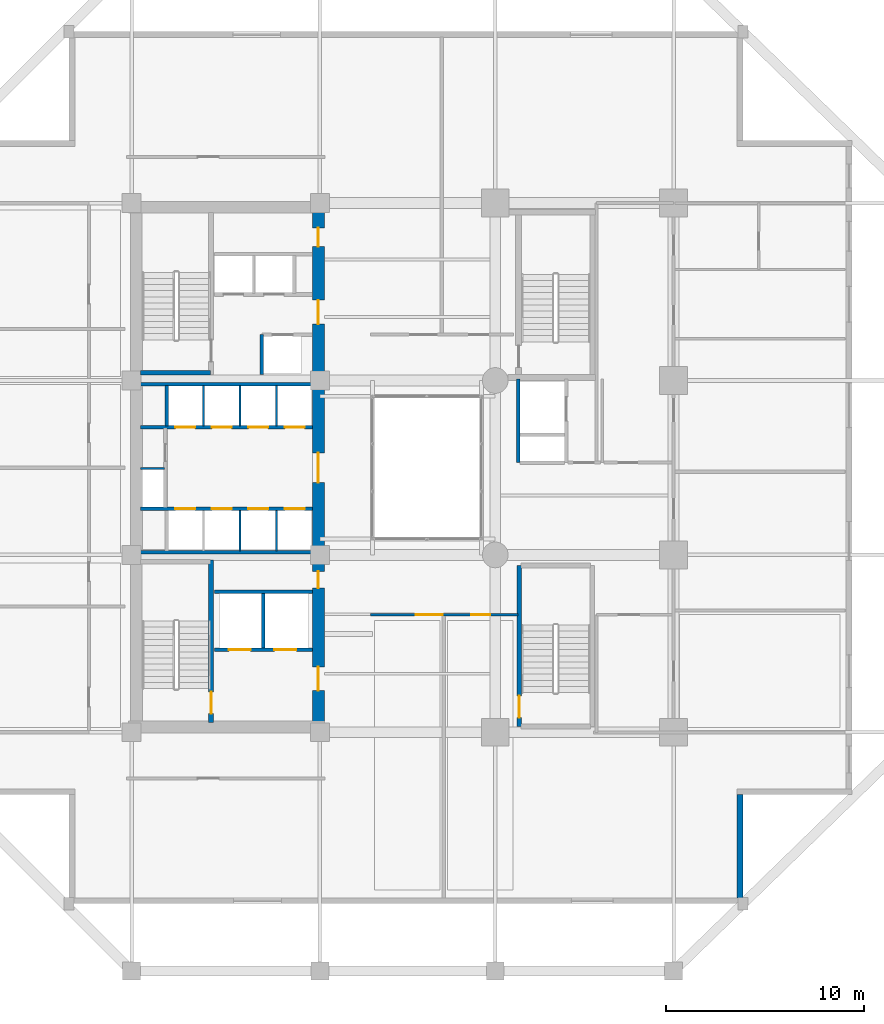
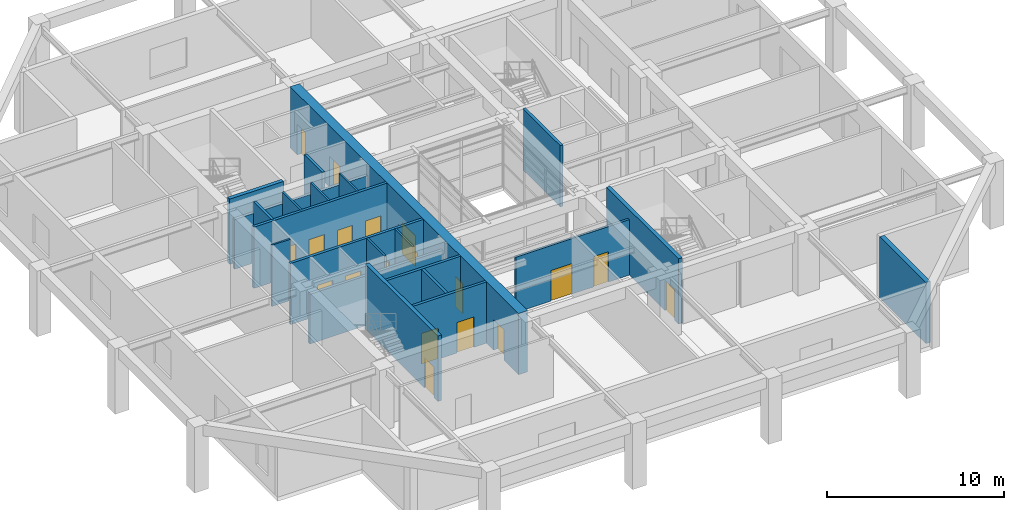
# One storey, part 7 of 13: 22 walls, 19 doors, 19 openings.
"""IFC4 building model written with IfcOpenShell, lengths in metres."""

from ifc_helpers import new_model, si_unit, direction, frame, frame_2d, origin, place, context, subcontext, project, spatial, rectangle, extrude, material, layer, layer_set, type_object, element, fill, save


model = new_model("IFC4")

# Units and contexts
model_context = context("Model", 3, precision=1e-05, world=origin(), true_north=direction((0.0, 1.0)))
body_context = subcontext(model_context, "Body", "Model", "MODEL_VIEW")
ifc_project = project(units=[si_unit("LENGTHUNIT", "METRE"), si_unit("AREAUNIT", "SQUARE_METRE"), si_unit("VOLUMEUNIT", "CUBIC_METRE"), si_unit("PLANEANGLEUNIT", "RADIAN"), si_unit("MASSUNIT", "GRAM", prefix="KILO")], contexts=[model_context])

# Site, building, storey
site_placement = place(None, origin())
site = spatial("IfcSite", under=ifc_project, at=site_placement, CompositionType="ELEMENT")
building_placement = place(site_placement, origin())
building = spatial("IfcBuilding", under=site, at=building_placement, Name="Kundavana Baori Tower", CompositionType="ELEMENT")
storey_placement = place(building_placement, frame((0.0, 0.0, 17.0)))
storey = spatial("IfcBuildingStorey", under=building, at=storey_placement, Name="L03", CompositionType="ELEMENT", Elevation=17.0)

# Wall, opening, door
ifc_material_1 = material(Name="Concrete C50/60", Category="concrete")
ifc_layer_1 = layer(ifc_material_1, 0.39990234375, Name="WL-CORE-400")
ifc_layer_set_1 = layer_set([ifc_layer_1], Name="Concrete C50/60")
wall_type_1 = type_object("IfcWallType", Name="WL-CORE-400", PredefinedType="SHEAR", material=ifc_layer_set_1)
wall_1_placement = place(storey_placement, frame((19.4599609375, 15.739990234375, 0.0), z_axis=(0.0, 0.0, 1.0), x_axis=(0.0, 1.0, 0.0)))
wall_1 = element("IfcWall", 1, at=wall_1_placement, inside=storey, type_object=wall_type_1, Name="WL-L03-ST1-E", PredefinedType="SHEAR", context=body_context, shape_type="SweptSolid", body=[
    extrude(rectangle(XDim=8.199951171875, YDim=0.239990234375, at=frame_2d((4.10009765625, 0.0))), origin(), (0.0, 0.0, 1.0), 4.5),
])
opening_1_placement = place(wall_1_placement, frame((0.449951171875, 0.0, 0.0)))
opening_1 = element("IfcOpeningElement", 2, at=opening_1_placement, cuts=wall_1, Name="Opening FD-110", PredefinedType="OPENING", context=body_context, shape_type="SweptSolid", body=[
    extrude(rectangle(XDim=1.10009765625, YDim=2.10009765625, at=frame_2d((0.550048828125, 1.050048828125))), frame((0.0, 0.1298828125, 0.0), z_axis=(0.0, -1.0, 0.0), x_axis=(1.0, 0.0, 0.0)), (0.0, 0.0, 1.0), 0.260009765625),
])
ifc_material_2 = material(Name="Galvanised Steel Fire-Rated Door Leaf", Category="steel")
door_type_1 = type_object("IfcDoorType", Name="DR-FD120-1100", OperationType="NOTDEFINED", PredefinedType="DOOR", material=ifc_material_2)
door_1_placement = place(opening_1_placement, origin())
door_1 = element("IfcDoor", 3, at=door_1_placement, inside=storey, type_object=door_type_1, Name="DR-L03-ST1", OperationType="SINGLE_SWING_LEFT", OverallHeight=2.10009765625, OverallWidth=1.10009765625, PredefinedType="DOOR", context=body_context, shape_type="SweptSolid", body=[
    extrude(rectangle(XDim=1.10009765625, YDim=2.10009765625, at=frame_2d((0.550048828125, 1.050048828125))), frame((0.0, 0.02490234375, 0.0), z_axis=(0.0, -1.0, 0.0), x_axis=(1.0, 0.0, 0.0)), (0.0, 0.0, 1.0), 0.050048828125),
])
fill(opening_1, door_1)

# Wall
wall_2_placement = place(storey_placement, frame((15.89990234375, 33.389892578125, 0.0), z_axis=(0.0, 0.0, 1.0), x_axis=(1.0, 0.0, 0.0)))
element("IfcWall", 4, at=wall_2_placement, inside=storey, type_object=wall_type_1, Name="WL-L03-ST2-S", PredefinedType="SHEAR", context=body_context, shape_type="SweptSolid", body=[
    extrude(rectangle(XDim=3.52001953125, YDim=0.239990234375, at=frame_2d((1.760009765625, 0.0))), origin(), (0.0, 0.0, 1.0), 4.5),
])

# Wall, opening, door
wall_3_placement = place(storey_placement, frame((35.010009765625, 15.5400390625, 0.0), z_axis=(0.0, 0.0, 1.0), x_axis=(0.0, 1.0, 0.0)))
wall_3 = element("IfcWall", 5, at=wall_3_placement, inside=storey, type_object=wall_type_1, Name="WL-L03-ST4-W", PredefinedType="SHEAR", context=body_context, shape_type="SweptSolid", body=[
    extrude(rectangle(XDim=8.119873046875, YDim=0.239990234375, at=frame_2d((4.06005859375, 0.0))), origin(), (0.0, 0.0, 1.0), 4.5),
])
opening_2_placement = place(wall_3_placement, frame((0.449951171875, 0.0, 0.0)))
opening_2 = element("IfcOpeningElement", 6, at=opening_2_placement, cuts=wall_3, Name="Opening FD-110", PredefinedType="OPENING", context=body_context, shape_type="SweptSolid", body=[
    extrude(rectangle(XDim=1.10009765625, YDim=2.10009765625, at=frame_2d((0.550048828125, 1.050048828125))), frame((0.0, 0.1298828125, 0.0), z_axis=(0.0, -1.0, 0.0), x_axis=(1.0, 0.0, 0.0)), (0.0, 0.0, 1.0), 0.260009765625),
])
door_2_placement = place(opening_2_placement, origin())
door_2 = element("IfcDoor", 7, at=door_2_placement, inside=storey, type_object=door_type_1, Name="DR-L03-ST4", OperationType="SINGLE_SWING_RIGHT", OverallHeight=2.10009765625, OverallWidth=1.10009765625, PredefinedType="DOOR", context=body_context, shape_type="SweptSolid", body=[
    extrude(rectangle(XDim=1.10009765625, YDim=2.10009765625, at=frame_2d((0.550048828125, 1.050048828125))), frame((0.0, 0.02490234375, 0.0), z_axis=(0.0, -1.0, 0.0), x_axis=(1.0, 0.0, 0.0)), (0.0, 0.0, 1.0), 0.050048828125),
])
fill(opening_2, door_2)

# Wall, openings, doors
ifc_material_3 = material(Name="Concrete C60/75", Category="concrete")
ifc_layer_2 = layer(ifc_material_3, 0.60009765625, Name="WL-CORE-600")
ifc_layer_set_2 = layer_set([ifc_layer_2], Name="Concrete C60/75")
wall_type_2 = type_object("IfcWallType", Name="WL-CORE-600", PredefinedType="SHEAR", material=ifc_layer_set_2)
wall_4_placement = place(storey_placement, frame((24.8798828125, 15.739990234375, 0.0), z_axis=(0.0, 0.0, 1.0), x_axis=(0.0, 1.0, 0.0)))
wall_4 = element("IfcWall", 8, at=wall_4_placement, inside=storey, type_object=wall_type_2, Name="L03 Offset Core East Shear Wall", PredefinedType="SHEAR", context=body_context, shape_type="SweptSolid", body=[
    extrude(rectangle(XDim=25.760009765625, YDim=0.60009765625, at=frame_2d((12.8798828125, 0.0))), origin(), (0.0, 0.0, 1.0), 4.219970703125),
])
opening_3_placement = place(wall_4_placement, frame((1.610107421875, 0.0, 0.0)))
opening_3 = element("IfcOpeningElement", 9, at=opening_3_placement, cuts=wall_4, Name="Opening FD-120", PredefinedType="OPENING", context=body_context, shape_type="SweptSolid", body=[
    extrude(rectangle(XDim=1.199951171875, YDim=2.10009765625, at=frame_2d((0.60009765625, 1.050048828125))), frame((0.0, 0.31005859375, 0.0), z_axis=(0.0, -1.0, 0.0), x_axis=(1.0, 0.0, 0.0)), (0.0, 0.0, 1.0), 0.6201171875),
])
opening_4_placement = place(wall_4_placement, frame((6.780029296875, 0.0, 0.0)))
opening_4 = element("IfcOpeningElement", 10, at=opening_4_placement, cuts=wall_4, Name="Opening FD-085", PredefinedType="OPENING", context=body_context, shape_type="SweptSolid", body=[
    extrude(rectangle(XDim=0.85009765625, YDim=2.06005859375, at=frame_2d((0.425048828125, 1.030029296875))), frame((0.0, 0.31005859375, 0.0), z_axis=(0.0, -1.0, 0.0), x_axis=(1.0, 0.0, 0.0)), (0.0, 0.0, 1.0), 0.6201171875),
])
opening_5_placement = place(wall_4_placement, frame((12.110107421875, 0.0, 0.0)))
opening_5 = element("IfcOpeningElement", 11, at=opening_5_placement, cuts=wall_4, Name="Opening FD-150", PredefinedType="OPENING", context=body_context, shape_type="SweptSolid", body=[
    extrude(rectangle(XDim=1.5, YDim=2.1201171875, at=frame_2d((0.75, 1.06005859375))), frame((0.0, 0.31005859375, 0.0), z_axis=(0.0, -1.0, 0.0), x_axis=(1.0, 0.0, 0.0)), (0.0, 0.0, 1.0), 0.6201171875),
])
opening_6_placement = place(wall_4_placement, frame((20.110107421875, 0.0, 0.0)))
opening_6 = element("IfcOpeningElement", 12, at=opening_6_placement, cuts=wall_4, Name="Opening FD-122", PredefinedType="OPENING", context=body_context, shape_type="SweptSolid", body=[
    extrude(rectangle(XDim=1.199951171875, YDim=2.1201171875, at=frame_2d((0.60009765625, 1.06005859375))), frame((0.0, 0.31005859375, 0.0), z_axis=(0.0, -1.0, 0.0), x_axis=(1.0, 0.0, 0.0)), (0.0, 0.0, 1.0), 0.6201171875),
])
opening_7_placement = place(wall_4_placement, frame((24.010009765625, 0.0, 0.0)))
opening_7 = element("IfcOpeningElement", 13, at=opening_7_placement, cuts=wall_4, Name="Opening FD-095", PredefinedType="OPENING", context=body_context, shape_type="SweptSolid", body=[
    extrude(rectangle(XDim=0.949951171875, YDim=2.10009765625, at=frame_2d((0.47509765625, 1.050048828125))), frame((0.0, 0.31005859375, 0.0), z_axis=(0.0, -1.0, 0.0), x_axis=(1.0, 0.0, 0.0)), (0.0, 0.0, 1.0), 0.6201171875),
])
ifc_material_4 = material(Name="Galvanised Steel Fire-Rated Door Leaf", Category="steel")
door_type_2 = type_object("IfcDoorType", Name="DR-FD120-1200", OperationType="NOTDEFINED", PredefinedType="DOOR", material=ifc_material_4)
door_3_placement = place(opening_3_placement, frame((1.199951171875, 0.0, 0.0), z_axis=(0.0, 0.0, 1.0), x_axis=(-1.0, 0.0, 0.0)))
door_3 = element("IfcDoor", 14, at=door_3_placement, inside=storey, type_object=door_type_2, Name="DR-L03-FFLOB-E", OperationType="SINGLE_SWING_RIGHT", OverallHeight=2.10009765625, OverallWidth=1.199951171875, PredefinedType="DOOR", context=body_context, shape_type="SweptSolid", body=[
    extrude(rectangle(XDim=1.199951171875, YDim=2.10009765625, at=frame_2d((0.60009765625, 1.050048828125))), frame((0.0, 0.02490234375, 0.0), z_axis=(0.0, -1.0, 0.0), x_axis=(1.0, 0.0, 0.0)), (0.0, 0.0, 1.0), 0.050048828125),
])
fill(opening_3, door_3)
ifc_material_5 = material(Name="Galvanised Steel Fire-Rated Door Leaf", Category="steel")
door_type_3 = type_object("IfcDoorType", Name="DR-FD60-1200", OperationType="NOTDEFINED", PredefinedType="DOOR", material=ifc_material_5)
door_4_placement = place(opening_6_placement, frame((1.199951171875, 0.0, 0.0), z_axis=(0.0, 0.0, 1.0), x_axis=(-1.0, 0.0, 0.0)))
door_4 = element("IfcDoor", 15, at=door_4_placement, inside=storey, type_object=door_type_3, Name="DR-L03-HRLOB-E", OperationType="SINGLE_SWING_RIGHT", OverallHeight=2.1201171875, OverallWidth=1.199951171875, PredefinedType="DOOR", context=body_context, shape_type="SweptSolid", body=[
    extrude(rectangle(XDim=1.199951171875, YDim=2.1201171875, at=frame_2d((0.60009765625, 1.06005859375))), frame((0.0, 0.02490234375, 0.0), z_axis=(0.0, -1.0, 0.0), x_axis=(1.0, 0.0, 0.0)), (0.0, 0.0, 1.0), 0.050048828125),
])
fill(opening_6, door_4)
ifc_material_6 = material(Name="Galvanised Steel Fire-Rated Door Leaf", Category="steel")
door_type_4 = type_object("IfcDoorType", Name="DR-FD60-1500", OperationType="NOTDEFINED", PredefinedType="DOOR", material=ifc_material_6)
door_5_placement = place(opening_5_placement, frame((1.5, 0.0, 0.0), z_axis=(0.0, 0.0, 1.0), x_axis=(-1.0, 0.0, 0.0)))
door_5 = element("IfcDoor", 16, at=door_5_placement, inside=storey, type_object=door_type_4, Name="DR-L03-LIFTHALL-E", OperationType="SINGLE_SWING_LEFT", OverallHeight=2.1201171875, OverallWidth=1.5, PredefinedType="DOOR", context=body_context, shape_type="SweptSolid", body=[
    extrude(rectangle(XDim=1.5, YDim=2.1201171875, at=frame_2d((0.75, 1.06005859375))), frame((0.0, 0.02490234375, 0.0), z_axis=(0.0, -1.0, 0.0), x_axis=(1.0, 0.0, 0.0)), (0.0, 0.0, 1.0), 0.050048828125),
])
fill(opening_5, door_5)
ifc_material_7 = material(Name="Galvanised Steel Fire-Rated Door Leaf", Category="steel")
door_type_5 = type_object("IfcDoorType", Name="DR-FD60-850", OperationType="NOTDEFINED", PredefinedType="DOOR", material=ifc_material_7)
door_6_placement = place(opening_4_placement, frame((0.85009765625, 0.0, 0.0), z_axis=(0.0, 0.0, 1.0), x_axis=(-1.0, 0.0, 0.0)))
door_6 = element("IfcDoor", 17, at=door_6_placement, inside=storey, type_object=door_type_5, Name="DR-L03-CSMK1", OperationType="SINGLE_SWING_LEFT", OverallHeight=2.06005859375, OverallWidth=0.85009765625, PredefinedType="DOOR", context=body_context, shape_type="SweptSolid", body=[
    extrude(rectangle(XDim=0.85009765625, YDim=2.06005859375, at=frame_2d((0.425048828125, 1.030029296875))), frame((0.0, 0.02490234375, 0.0), z_axis=(0.0, -1.0, 0.0), x_axis=(1.0, 0.0, 0.0)), (0.0, 0.0, 1.0), 0.050048828125),
])
fill(opening_4, door_6)
ifc_material_8 = material(Name="Engineered Teak Fire-Rated Timber Door Leaf", Category="wood")
door_type_6 = type_object("IfcDoorType", Name="DR-FD60-950", OperationType="NOTDEFINED", PredefinedType="DOOR", material=ifc_material_8)
door_7_placement = place(opening_7_placement, frame((0.949951171875, 0.0, 0.0), z_axis=(0.0, 0.0, 1.0), x_axis=(-1.0, 0.0, 0.0)))
door_7 = element("IfcDoor", 18, at=door_7_placement, inside=storey, type_object=door_type_6, Name="DR-L03-CSRV1", OperationType="SINGLE_SWING_LEFT", OverallHeight=2.10009765625, OverallWidth=0.949951171875, PredefinedType="DOOR", context=body_context, shape_type="SweptSolid", body=[
    extrude(rectangle(XDim=0.949951171875, YDim=2.10009765625, at=frame_2d((0.47509765625, 1.050048828125))), frame((0.0, 0.02490234375, 0.0), z_axis=(0.0, -1.0, 0.0), x_axis=(1.0, 0.0, 0.0)), (0.0, 0.0, 1.0), 0.050048828125),
])
fill(opening_7, door_7)

# Walls
ifc_material_9 = material(Name="Red-Buff Dholpur Sandstone Cladding on Concrete C40/50", Category="masonry")
ifc_layer_3 = layer(ifc_material_9, 0.300048828125, Name="WL-EXT-SAND-300")
ifc_layer_set_3 = layer_set([ifc_layer_3], Name="Red-Buff Dholpur Sandstone Cladding on Concrete C40/50")
wall_type_3 = type_object("IfcWallType", Name="WL-EXT-SAND-300", PredefinedType="STANDARD", material=ifc_layer_set_3)
wall_5_placement = place(storey_placement, frame((46.14990234375, 6.89990234375, 0.0), z_axis=(0.0, 0.0, 1.0), x_axis=(0.0, 1.0, 0.0)))
element("IfcWall", 19, at=wall_5_placement, inside=storey, type_object=wall_type_3, Name="L03 Exterior Insulated Facade Wall 02", PredefinedType="STANDARD", context=body_context, shape_type="SweptSolid", body=[
    extrude(rectangle(XDim=5.2001953125, YDim=0.300048828125, at=frame_2d((2.60009765625, 0.0))), origin(), (0.0, 0.0, 1.0), 4.219970703125),
])
ifc_material_10 = material(Name="Acoustic Gypsum Plasterboard on Galvanised Steel Studs", Category="steel")
ifc_layer_4 = layer(ifc_material_10, 0.1201171875, Name="WL-PART-120")
ifc_layer_set_4 = layer_set([ifc_layer_4], Name="Acoustic Gypsum Plasterboard on Galvanised Steel Studs")
wall_type_4 = type_object("IfcWallType", Name="WL-PART-120", PredefinedType="PARTITIONING", material=ifc_layer_set_4)
for number, where, z_axis, x_axis, name in (
    (20, (20.919921875, 24.39990234375, 0.0), (0.0, 0.0, 1.0), (0.0, 1.0, 0.0), "WL-L03-LPLOW-D2"),
    (21, (22.760009765625, 24.39990234375, 0.0), (0.0, 0.0, 1.0), (0.0, 1.0, 0.0), "WL-L03-LPLOW-D3"),
):
    element("IfcWall", number, at=place(storey_placement, frame(where, z_axis=z_axis, x_axis=x_axis)), inside=storey, type_object=wall_type_4, Name=name, PredefinedType="PARTITIONING", context=body_context, shape_type="SweptSolid", body=[
        extrude(rectangle(XDim=2.050048828125, YDim=0.1201171875, at=frame_2d((1.02490234375, 0.0))), origin(), (0.0, 0.0, 1.0), 4.219970703125),
    ])
wall_6_placement = place(storey_placement, frame((15.89990234375, 28.56005859375, 0.0), z_axis=(0.0, 0.0, 1.0), x_axis=(1.0, 0.0, 0.0)))
element("IfcWall", 22, at=wall_6_placement, inside=storey, type_object=wall_type_4, Name="WL-L03-RSRW-N", PredefinedType="PARTITIONING", context=body_context, shape_type="SweptSolid", body=[
    extrude(rectangle(XDim=1.2001953125, YDim=0.1201171875, at=frame_2d((0.60009765625, 0.0))), origin(), (0.0, 0.0, 1.0), 4.219970703125),
])
for number, where, z_axis, x_axis, name in (
    (23, (19.080078125, 30.699951171875, 0.0), (0.0, 0.0, 1.0), (0.0, 1.0, 0.0), "WL-L03-LPMID-D1"),
    (24, (20.919921875, 30.699951171875, 0.0), (0.0, 0.0, 1.0), (0.0, 1.0, 0.0), "WL-L03-LPMID-D2"),
    (25, (22.760009765625, 30.699951171875, 0.0), (0.0, 0.0, 1.0), (0.0, 1.0, 0.0), "WL-L03-LPMID-D3"),
):
    element("IfcWall", number, at=place(storey_placement, frame(where, z_axis=z_axis, x_axis=x_axis)), inside=storey, type_object=wall_type_4, Name=name, PredefinedType="PARTITIONING", context=body_context, shape_type="SweptSolid", body=[
        extrude(rectangle(XDim=2.050048828125, YDim=0.1201171875, at=frame_2d((1.02490234375, 0.0))), origin(), (0.0, 0.0, 1.0), 4.219970703125),
    ])

# Wall, openings, doors
ifc_material_11 = material(Name="Fire-Rated Gypsum Drywall on Galvanised Steel Studs", Category="steel")
ifc_layer_5 = layer(ifc_material_11, 0.14990234375, Name="WL-PART-150")
ifc_layer_set_5 = layer_set([ifc_layer_5], Name="Fire-Rated Gypsum Drywall on Galvanised Steel Studs")
wall_type_5 = type_object("IfcWallType", Name="WL-PART-150", PredefinedType="PARTITIONING", material=ifc_layer_set_5)
wall_7_placement = place(storey_placement, frame((27.5, 21.179931640625, 0.0), z_axis=(0.0, 0.0, 1.0), x_axis=(1.0, 0.0, 0.0)))
wall_7 = element("IfcWall", 26, at=wall_7_placement, inside=storey, type_object=wall_type_5, Name="WL-L03-PODS", PredefinedType="PARTITIONING", context=body_context, shape_type="SweptSolid", body=[
    extrude(rectangle(XDim=7.449951171875, YDim=0.14990234375, at=frame_2d((3.72509765625, 0.0))), origin(), (0.0, 0.0, 1.0), 3.820068359375),
])
opening_8_placement = place(wall_7_placement, frame((5.10009765625, 0.0, 0.0)))
opening_8 = element("IfcOpeningElement", 27, at=opening_8_placement, cuts=wall_7, Name="Opening ID-095", PredefinedType="OPENING", context=body_context, shape_type="SweptSolid", body=[
    extrude(rectangle(XDim=0.949951171875, YDim=2.080078125, at=frame_2d((0.47509765625, 1.0400390625))), frame((0.0, 0.0849609375, 0.0), z_axis=(0.0, -1.0, 0.0), x_axis=(1.0, 0.0, 0.0)), (0.0, 0.0, 1.0), 0.169921875),
])
opening_9_placement = place(wall_7_placement, frame((2.300048828125, 0.0, 0.0)))
opening_9 = element("IfcOpeningElement", 28, at=opening_9_placement, cuts=wall_7, Name="Opening ID-135", PredefinedType="OPENING", context=body_context, shape_type="SweptSolid", body=[
    extrude(rectangle(XDim=1.35009765625, YDim=2.10009765625, at=frame_2d((0.675048828125, 1.050048828125))), frame((0.0, 0.0849609375, 0.0), z_axis=(0.0, -1.0, 0.0), x_axis=(1.0, 0.0, 0.0)), (0.0, 0.0, 1.0), 0.169921875),
])
ifc_material_12 = material(Name="Engineered Teak Solid-Core Timber Veneer", Category="wood")
door_type_7 = type_object("IfcDoorType", Name="DR-INT-1350", OperationType="NOTDEFINED", PredefinedType="DOOR", material=ifc_material_12)
door_8_placement = place(opening_9_placement, frame((1.35009765625, 0.0, 0.0), z_axis=(0.0, 0.0, 1.0), x_axis=(-1.0, 0.0, 0.0)))
door_8 = element("IfcDoor", 29, at=door_8_placement, inside=storey, type_object=door_type_7, Name="DR-L03-BANQS", OperationType="SINGLE_SWING_RIGHT", OverallHeight=2.10009765625, OverallWidth=1.35009765625, PredefinedType="DOOR", context=body_context, shape_type="SweptSolid", body=[
    extrude(rectangle(XDim=1.35009765625, YDim=2.10009765625, at=frame_2d((0.675048828125, 1.050048828125))), frame((0.0, 0.02490234375, 0.0), z_axis=(0.0, -1.0, 0.0), x_axis=(1.0, 0.0, 0.0)), (0.0, 0.0, 1.0), 0.050048828125),
])
fill(opening_9, door_8)
ifc_material_13 = material(Name="Engineered Teak Solid-Core Timber Veneer", Category="wood")
door_type_8 = type_object("IfcDoorType", Name="DR-INT-950", OperationType="NOTDEFINED", PredefinedType="DOOR", material=ifc_material_13)
door_9_placement = place(opening_8_placement, frame((0.949951171875, 0.0, 0.0), z_axis=(0.0, 0.0, 1.0), x_axis=(-1.0, 0.0, 0.0)))
door_9 = element("IfcDoor", 30, at=door_9_placement, inside=storey, type_object=door_type_8, Name="DR-L03-BQS2", OperationType="SINGLE_SWING_LEFT", OverallHeight=2.080078125, OverallWidth=0.949951171875, PredefinedType="DOOR", context=body_context, shape_type="SweptSolid", body=[
    extrude(rectangle(XDim=0.949951171875, YDim=2.080078125, at=frame_2d((0.47509765625, 1.0400390625))), frame((0.0, 0.02490234375, 0.0), z_axis=(0.0, -1.0, 0.0), x_axis=(1.0, 0.0, 0.0)), (0.0, 0.0, 1.0), 0.050048828125),
])
fill(opening_8, door_9)

ifc_material_14 = material(Name="Autoclaved Aerated Concrete Blockwork Masonry", Category="masonry")
ifc_layer_6 = layer(ifc_material_14, 0.179931640625, Name="WL-SHAFT-180")
ifc_layer_set_6 = layer_set([ifc_layer_6], Name="Autoclaved Aerated Concrete Blockwork Masonry")
wall_type_6 = type_object("IfcWallType", Name="WL-SHAFT-180", PredefinedType="SOLIDWALL", material=ifc_layer_set_6)
wall_8_placement = place(storey_placement, frame((19.639892578125, 19.419921875, 0.0), z_axis=(0.0, 0.0, 1.0), x_axis=(1.0, 0.0, 0.0)))
wall_8 = element("IfcWall", 31, at=wall_8_placement, inside=storey, type_object=wall_type_6, Name="WL-L03-FFL-S", PredefinedType="SOLIDWALL", context=body_context, shape_type="SweptSolid", body=[
    extrude(rectangle(XDim=4.940185546875, YDim=0.179931640625, at=frame_2d((2.47021484375, 0.0))), origin(), (0.0, 0.0, 1.0), 4.219970703125),
])
opening_10_placement = place(wall_8_placement, frame((0.719970703125, 0.0, 0.0)))
opening_10 = element("IfcOpeningElement", 32, at=opening_10_placement, cuts=wall_8, Name="Opening LD-110", PredefinedType="OPENING", context=body_context, shape_type="SweptSolid", body=[
    extrude(rectangle(XDim=1.10009765625, YDim=2.10009765625, at=frame_2d((0.550048828125, 1.050048828125))), frame((0.0, 0.10009765625, 0.0), z_axis=(0.0, -1.0, 0.0), x_axis=(1.0, 0.0, 0.0)), (0.0, 0.0, 1.0), 0.199951171875),
])
opening_11_placement = place(wall_8_placement, frame((3.02001953125, 0.0, 0.0)))
opening_11 = element("IfcOpeningElement", 33, at=opening_11_placement, cuts=wall_8, Name="Opening LD-110", PredefinedType="OPENING", context=body_context, shape_type="SweptSolid", body=[
    extrude(rectangle(XDim=1.10009765625, YDim=2.10009765625, at=frame_2d((0.550048828125, 1.050048828125))), frame((0.0, 0.10009765625, 0.0), z_axis=(0.0, -1.0, 0.0), x_axis=(1.0, 0.0, 0.0)), (0.0, 0.0, 1.0), 0.199951171875),
])
ifc_material_15 = material(Name="Galvanised Steel Fire-Rated Door Leaf", Category="steel")
door_type_9 = type_object("IfcDoorType", Name="DR-SLIDE-LD1100", OperationType="NOTDEFINED", PredefinedType="DOOR", material=ifc_material_15)
door_10_placement = place(opening_10_placement, origin())
door_10 = element("IfcDoor", 34, at=door_10_placement, inside=storey, type_object=door_type_9, Name="DR-L03-LD-FFL-1", OperationType="DOUBLE_DOOR_SLIDING", OverallHeight=2.10009765625, OverallWidth=1.10009765625, PredefinedType="DOOR", context=body_context, shape_type="SweptSolid", body=[
    extrude(rectangle(XDim=1.10009765625, YDim=2.10009765625, at=frame_2d((0.550048828125, 1.050048828125))), frame((0.0, 0.02490234375, 0.0), z_axis=(0.0, -1.0, 0.0), x_axis=(1.0, 0.0, 0.0)), (0.0, 0.0, 1.0), 0.050048828125),
])
fill(opening_10, door_10)
door_11_placement = place(opening_11_placement, origin())
door_11 = element("IfcDoor", 35, at=door_11_placement, inside=storey, type_object=door_type_9, Name="DR-L03-LD-FFL-2", OperationType="DOUBLE_DOOR_SLIDING", OverallHeight=2.10009765625, OverallWidth=1.10009765625, PredefinedType="DOOR", context=body_context, shape_type="SweptSolid", body=[
    extrude(rectangle(XDim=1.10009765625, YDim=2.10009765625, at=frame_2d((0.550048828125, 1.050048828125))), frame((0.0, 0.02490234375, 0.0), z_axis=(0.0, -1.0, 0.0), x_axis=(1.0, 0.0, 0.0)), (0.0, 0.0, 1.0), 0.050048828125),
])
fill(opening_11, door_11)

# Walls
wall_9_placement = place(storey_placement, frame((22.10009765625, 19.510009765625, 0.0), z_axis=(0.0, 0.0, 1.0), x_axis=(0.0, 1.0, 0.0)))
element("IfcWall", 36, at=wall_9_placement, inside=storey, type_object=wall_type_6, Name="WL-L03-FFL-MID", PredefinedType="SOLIDWALL", context=body_context, shape_type="SweptSolid", body=[
    extrude(rectangle(XDim=2.739990234375, YDim=0.179931640625, at=frame_2d((1.3701171875, 0.0))), origin(), (0.0, 0.0, 1.0), 4.219970703125),
])
wall_10_placement = place(storey_placement, frame((19.639892578125, 22.340087890625, 0.0), z_axis=(0.0, 0.0, 1.0), x_axis=(1.0, 0.0, 0.0)))
element("IfcWall", 37, at=wall_10_placement, inside=storey, type_object=wall_type_6, Name="WL-L03-FFL-N", PredefinedType="SOLIDWALL", context=body_context, shape_type="SweptSolid", body=[
    extrude(rectangle(XDim=4.940185546875, YDim=0.179931640625, at=frame_2d((2.47021484375, 0.0))), origin(), (0.0, 0.0, 1.0), 4.219970703125),
])

# Wall, openings, doors
wall_11_placement = place(storey_placement, frame((15.89990234375, 26.52001953125, 0.0), z_axis=(0.0, 0.0, 1.0), x_axis=(1.0, 0.0, 0.0)))
wall_11 = element("IfcWall", 38, at=wall_11_placement, inside=storey, type_object=wall_type_6, Name="WL-L03-LPLOW-N", PredefinedType="SOLIDWALL", context=body_context, shape_type="SweptSolid", body=[
    extrude(rectangle(XDim=8.68017578125, YDim=0.179931640625, at=frame_2d((4.340087890625, 0.0))), origin(), (0.0, 0.0, 1.0), 4.219970703125),
])
opening_12_placement = place(wall_11_placement, frame((1.760009765625, 0.0, 0.0)))
opening_12 = element("IfcOpeningElement", 39, at=opening_12_placement, cuts=wall_11, Name="Opening LD-100", PredefinedType="OPENING", context=body_context, shape_type="SweptSolid", body=[
    extrude(rectangle(XDim=1.0, YDim=2.10009765625, at=frame_2d((0.5, 1.050048828125))), frame((0.0, 0.10009765625, 0.0), z_axis=(0.0, -1.0, 0.0), x_axis=(1.0, 0.0, 0.0)), (0.0, 0.0, 1.0), 0.199951171875),
])
opening_13_placement = place(wall_11_placement, frame((3.60009765625, 0.0, 0.0)))
opening_13 = element("IfcOpeningElement", 40, at=opening_13_placement, cuts=wall_11, Name="Opening LD-100", PredefinedType="OPENING", context=body_context, shape_type="SweptSolid", body=[
    extrude(rectangle(XDim=1.0, YDim=2.10009765625, at=frame_2d((0.5, 1.050048828125))), frame((0.0, 0.10009765625, 0.0), z_axis=(0.0, -1.0, 0.0), x_axis=(1.0, 0.0, 0.0)), (0.0, 0.0, 1.0), 0.199951171875),
])
opening_14_placement = place(wall_11_placement, frame((5.43994140625, 0.0, 0.0)))
opening_14 = element("IfcOpeningElement", 41, at=opening_14_placement, cuts=wall_11, Name="Opening LD-100", PredefinedType="OPENING", context=body_context, shape_type="SweptSolid", body=[
    extrude(rectangle(XDim=1.0, YDim=2.10009765625, at=frame_2d((0.5, 1.050048828125))), frame((0.0, 0.10009765625, 0.0), z_axis=(0.0, -1.0, 0.0), x_axis=(1.0, 0.0, 0.0)), (0.0, 0.0, 1.0), 0.199951171875),
])
opening_15_placement = place(wall_11_placement, frame((7.280029296875, 0.0, 0.0)))
opening_15 = element("IfcOpeningElement", 42, at=opening_15_placement, cuts=wall_11, Name="Opening LD-100", PredefinedType="OPENING", context=body_context, shape_type="SweptSolid", body=[
    extrude(rectangle(XDim=1.0, YDim=2.10009765625, at=frame_2d((0.5, 1.050048828125))), frame((0.0, 0.10009765625, 0.0), z_axis=(0.0, -1.0, 0.0), x_axis=(1.0, 0.0, 0.0)), (0.0, 0.0, 1.0), 0.199951171875),
])
ifc_material_16 = material(Name="Galvanised Steel Fire-Rated Door Leaf", Category="steel")
door_type_10 = type_object("IfcDoorType", Name="DR-SLIDE-LD1000", OperationType="NOTDEFINED", PredefinedType="DOOR", material=ifc_material_16)
door_12_placement = place(opening_12_placement, origin())
door_12 = element("IfcDoor", 43, at=door_12_placement, inside=storey, type_object=door_type_10, Name="DR-L03-LD-LP-01", OperationType="DOUBLE_DOOR_SLIDING", OverallHeight=2.10009765625, OverallWidth=1.0, PredefinedType="DOOR", context=body_context, shape_type="SweptSolid", body=[
    extrude(rectangle(XDim=1.0, YDim=2.10009765625, at=frame_2d((0.5, 1.050048828125))), frame((0.0, 0.02490234375, 0.0), z_axis=(0.0, -1.0, 0.0), x_axis=(1.0, 0.0, 0.0)), (0.0, 0.0, 1.0), 0.050048828125),
])
fill(opening_12, door_12)
door_13_placement = place(opening_13_placement, origin())
door_13 = element("IfcDoor", 44, at=door_13_placement, inside=storey, type_object=door_type_10, Name="DR-L03-LD-LP-02", OperationType="DOUBLE_DOOR_SLIDING", OverallHeight=2.10009765625, OverallWidth=1.0, PredefinedType="DOOR", context=body_context, shape_type="SweptSolid", body=[
    extrude(rectangle(XDim=1.0, YDim=2.10009765625, at=frame_2d((0.5, 1.050048828125))), frame((0.0, 0.02490234375, 0.0), z_axis=(0.0, -1.0, 0.0), x_axis=(1.0, 0.0, 0.0)), (0.0, 0.0, 1.0), 0.050048828125),
])
fill(opening_13, door_13)
door_14_placement = place(opening_14_placement, origin())
door_14 = element("IfcDoor", 45, at=door_14_placement, inside=storey, type_object=door_type_10, Name="DR-L03-LD-LP-03", OperationType="DOUBLE_DOOR_SLIDING", OverallHeight=2.10009765625, OverallWidth=1.0, PredefinedType="DOOR", context=body_context, shape_type="SweptSolid", body=[
    extrude(rectangle(XDim=1.0, YDim=2.10009765625, at=frame_2d((0.5, 1.050048828125))), frame((0.0, 0.02490234375, 0.0), z_axis=(0.0, -1.0, 0.0), x_axis=(1.0, 0.0, 0.0)), (0.0, 0.0, 1.0), 0.050048828125),
])
fill(opening_14, door_14)
door_15_placement = place(opening_15_placement, origin())
door_15 = element("IfcDoor", 46, at=door_15_placement, inside=storey, type_object=door_type_10, Name="DR-L03-LD-LP-04", OperationType="DOUBLE_DOOR_SLIDING", OverallHeight=2.10009765625, OverallWidth=1.0, PredefinedType="DOOR", context=body_context, shape_type="SweptSolid", body=[
    extrude(rectangle(XDim=1.0, YDim=2.10009765625, at=frame_2d((0.5, 1.050048828125))), frame((0.0, 0.02490234375, 0.0), z_axis=(0.0, -1.0, 0.0), x_axis=(1.0, 0.0, 0.0)), (0.0, 0.0, 1.0), 0.050048828125),
])
fill(opening_15, door_15)

# Wall
wall_12_placement = place(storey_placement, frame((15.89990234375, 24.330078125, 0.0), z_axis=(0.0, 0.0, 1.0), x_axis=(1.0, 0.0, 0.0)))
element("IfcWall", 47, at=wall_12_placement, inside=storey, type_object=wall_type_6, Name="WL-L03-LPLOW-S", PredefinedType="SOLIDWALL", context=body_context, shape_type="SweptSolid", body=[
    extrude(rectangle(XDim=8.68017578125, YDim=0.179931640625, at=frame_2d((4.340087890625, 0.0))), origin(), (0.0, 0.0, 1.0), 3.419921875),
])

# Wall, openings, doors
wall_13_placement = place(storey_placement, frame((15.89990234375, 30.639892578125, 0.0), z_axis=(0.0, 0.0, 1.0), x_axis=(1.0, 0.0, 0.0)))
wall_13 = element("IfcWall", 48, at=wall_13_placement, inside=storey, type_object=wall_type_6, Name="WL-L03-LPMID-S", PredefinedType="SOLIDWALL", context=body_context, shape_type="SweptSolid", body=[
    extrude(rectangle(XDim=8.68017578125, YDim=0.179931640625, at=frame_2d((4.340087890625, 0.0))), origin(), (0.0, 0.0, 1.0), 4.219970703125),
])
opening_16_placement = place(wall_13_placement, frame((1.760009765625, 0.0, 0.0)))
opening_16 = element("IfcOpeningElement", 49, at=opening_16_placement, cuts=wall_13, Name="Opening LD-100", PredefinedType="OPENING", context=body_context, shape_type="SweptSolid", body=[
    extrude(rectangle(XDim=1.0, YDim=2.10009765625, at=frame_2d((0.5, 1.050048828125))), frame((0.0, 0.10009765625, 0.0), z_axis=(0.0, -1.0, 0.0), x_axis=(1.0, 0.0, 0.0)), (0.0, 0.0, 1.0), 0.199951171875),
])
opening_17_placement = place(wall_13_placement, frame((3.60009765625, 0.0, 0.0)))
opening_17 = element("IfcOpeningElement", 50, at=opening_17_placement, cuts=wall_13, Name="Opening LD-100", PredefinedType="OPENING", context=body_context, shape_type="SweptSolid", body=[
    extrude(rectangle(XDim=1.0, YDim=2.10009765625, at=frame_2d((0.5, 1.050048828125))), frame((0.0, 0.10009765625, 0.0), z_axis=(0.0, -1.0, 0.0), x_axis=(1.0, 0.0, 0.0)), (0.0, 0.0, 1.0), 0.199951171875),
])
opening_18_placement = place(wall_13_placement, frame((5.43994140625, 0.0, 0.0)))
opening_18 = element("IfcOpeningElement", 51, at=opening_18_placement, cuts=wall_13, Name="Opening LD-100", PredefinedType="OPENING", context=body_context, shape_type="SweptSolid", body=[
    extrude(rectangle(XDim=1.0, YDim=2.10009765625, at=frame_2d((0.5, 1.050048828125))), frame((0.0, 0.10009765625, 0.0), z_axis=(0.0, -1.0, 0.0), x_axis=(1.0, 0.0, 0.0)), (0.0, 0.0, 1.0), 0.199951171875),
])
opening_19_placement = place(wall_13_placement, frame((7.280029296875, 0.0, 0.0)))
opening_19 = element("IfcOpeningElement", 52, at=opening_19_placement, cuts=wall_13, Name="Opening LD-100", PredefinedType="OPENING", context=body_context, shape_type="SweptSolid", body=[
    extrude(rectangle(XDim=1.0, YDim=2.10009765625, at=frame_2d((0.5, 1.050048828125))), frame((0.0, 0.10009765625, 0.0), z_axis=(0.0, -1.0, 0.0), x_axis=(1.0, 0.0, 0.0)), (0.0, 0.0, 1.0), 0.199951171875),
])
door_16_placement = place(opening_16_placement, frame((1.0, 0.0, 0.0), z_axis=(0.0, 0.0, 1.0), x_axis=(-1.0, 0.0, 0.0)))
door_16 = element("IfcDoor", 53, at=door_16_placement, inside=storey, type_object=door_type_10, Name="DR-L03-LD-LP-05", OperationType="DOUBLE_DOOR_SLIDING", OverallHeight=2.10009765625, OverallWidth=1.0, PredefinedType="DOOR", context=body_context, shape_type="SweptSolid", body=[
    extrude(rectangle(XDim=1.0, YDim=2.10009765625, at=frame_2d((0.5, 1.050048828125))), frame((0.0, 0.02490234375, 0.0), z_axis=(0.0, -1.0, 0.0), x_axis=(1.0, 0.0, 0.0)), (0.0, 0.0, 1.0), 0.050048828125),
])
fill(opening_16, door_16)
door_17_placement = place(opening_17_placement, frame((1.0, 0.0, 0.0), z_axis=(0.0, 0.0, 1.0), x_axis=(-1.0, 0.0, 0.0)))
door_17 = element("IfcDoor", 54, at=door_17_placement, inside=storey, type_object=door_type_10, Name="DR-L03-LD-LP-06", OperationType="DOUBLE_DOOR_SLIDING", OverallHeight=2.10009765625, OverallWidth=1.0, PredefinedType="DOOR", context=body_context, shape_type="SweptSolid", body=[
    extrude(rectangle(XDim=1.0, YDim=2.10009765625, at=frame_2d((0.5, 1.050048828125))), frame((0.0, 0.02490234375, 0.0), z_axis=(0.0, -1.0, 0.0), x_axis=(1.0, 0.0, 0.0)), (0.0, 0.0, 1.0), 0.050048828125),
])
fill(opening_17, door_17)
door_18_placement = place(opening_18_placement, frame((1.0, 0.0, 0.0), z_axis=(0.0, 0.0, 1.0), x_axis=(-1.0, 0.0, 0.0)))
door_18 = element("IfcDoor", 55, at=door_18_placement, inside=storey, type_object=door_type_10, Name="DR-L03-LD-LP-07", OperationType="DOUBLE_DOOR_SLIDING", OverallHeight=2.10009765625, OverallWidth=1.0, PredefinedType="DOOR", context=body_context, shape_type="SweptSolid", body=[
    extrude(rectangle(XDim=1.0, YDim=2.10009765625, at=frame_2d((0.5, 1.050048828125))), frame((0.0, 0.02490234375, 0.0), z_axis=(0.0, -1.0, 0.0), x_axis=(1.0, 0.0, 0.0)), (0.0, 0.0, 1.0), 0.050048828125),
])
fill(opening_18, door_18)
door_19_placement = place(opening_19_placement, frame((1.0, 0.0, 0.0), z_axis=(0.0, 0.0, 1.0), x_axis=(-1.0, 0.0, 0.0)))
door_19 = element("IfcDoor", 56, at=door_19_placement, inside=storey, type_object=door_type_10, Name="DR-L03-LD-LP-08", OperationType="DOUBLE_DOOR_SLIDING", OverallHeight=2.10009765625, OverallWidth=1.0, PredefinedType="DOOR", context=body_context, shape_type="SweptSolid", body=[
    extrude(rectangle(XDim=1.0, YDim=2.10009765625, at=frame_2d((0.5, 1.050048828125))), frame((0.0, 0.02490234375, 0.0), z_axis=(0.0, -1.0, 0.0), x_axis=(1.0, 0.0, 0.0)), (0.0, 0.0, 1.0), 0.050048828125),
])
fill(opening_19, door_19)

# Walls
wall_14_placement = place(storey_placement, frame((15.89990234375, 32.820068359375, 0.0), z_axis=(0.0, 0.0, 1.0), x_axis=(1.0, 0.0, 0.0)))
element("IfcWall", 57, at=wall_14_placement, inside=storey, type_object=wall_type_6, Name="WL-L03-LPMID-N", PredefinedType="SOLIDWALL", context=body_context, shape_type="SweptSolid", body=[
    extrude(rectangle(XDim=8.68017578125, YDim=0.179931640625, at=frame_2d((4.340087890625, 0.0))), origin(), (0.0, 0.0, 1.0), 3.419921875),
])
wall_15_placement = place(storey_placement, frame((17.219970703125, 30.699951171875, 0.0), z_axis=(0.0, 0.0, 1.0), x_axis=(0.0, 1.0, 0.0)))
element("IfcWall", 58, at=wall_15_placement, inside=storey, type_object=wall_type_6, Name="WL-L03-LPMID-W", PredefinedType="SOLIDWALL", context=body_context, shape_type="SweptSolid", body=[
    extrude(rectangle(XDim=2.050048828125, YDim=0.179931640625, at=frame_2d((1.02490234375, 0.0))), origin(), (0.0, 0.0, 1.0), 4.219970703125),
])
wall_16_placement = place(storey_placement, frame((22.02001953125, 33.300048828125, 0.0), z_axis=(0.0, 0.0, 1.0), x_axis=(0.0, 1.0, 0.0)))
element("IfcWall", 59, at=wall_16_placement, inside=storey, type_object=wall_type_6, Name="WL-L03-LP11-W", PredefinedType="SOLIDWALL", context=body_context, shape_type="SweptSolid", body=[
    extrude(rectangle(XDim=2.010009765625, YDim=0.179931640625, at=frame_2d((1.0048828125, 0.0))), origin(), (0.0, 0.0, 1.0), 4.219970703125),
])
wall_17_placement = place(storey_placement, frame((34.9599609375, 28.860107421875, 0.0), z_axis=(0.0, 0.0, 1.0), x_axis=(0.0, 1.0, 0.0)))
element("IfcWall", 60, at=wall_17_placement, inside=storey, type_object=wall_type_6, Name="WL-L03-SVL-W", PredefinedType="SOLIDWALL", context=body_context, shape_type="SweptSolid", body=[
    extrude(rectangle(XDim=4.219970703125, YDim=0.179931640625, at=frame_2d((2.10986328125, 0.0))), origin(), (0.0, 0.0, 1.0), 4.219970703125),
])

save(model, "model.ifc")
